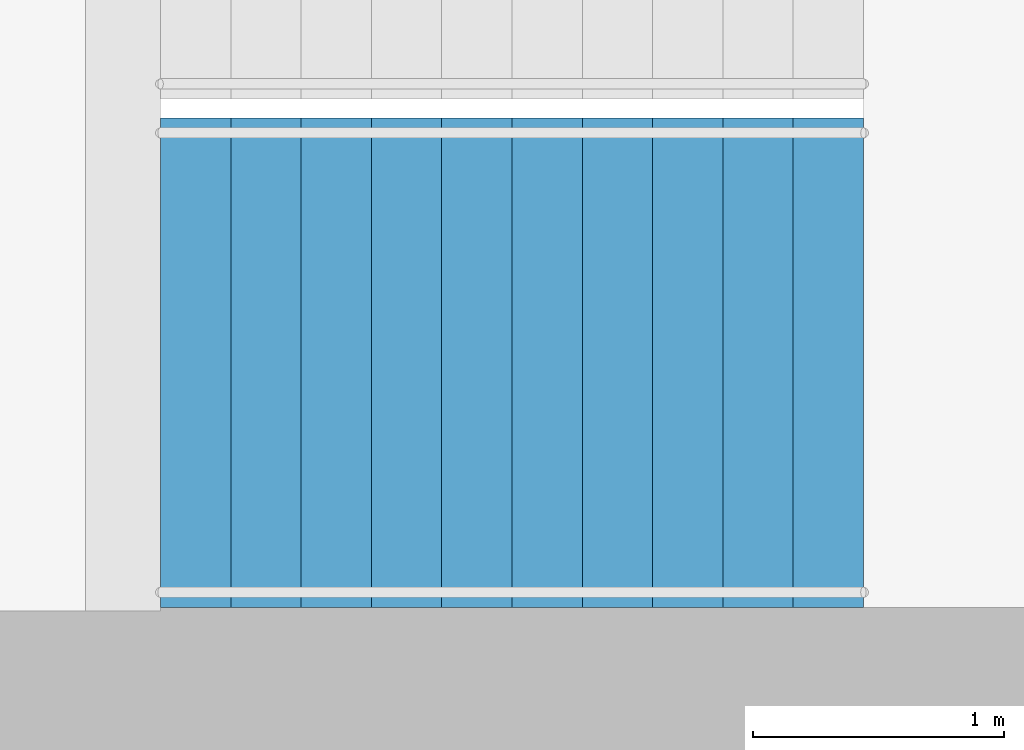
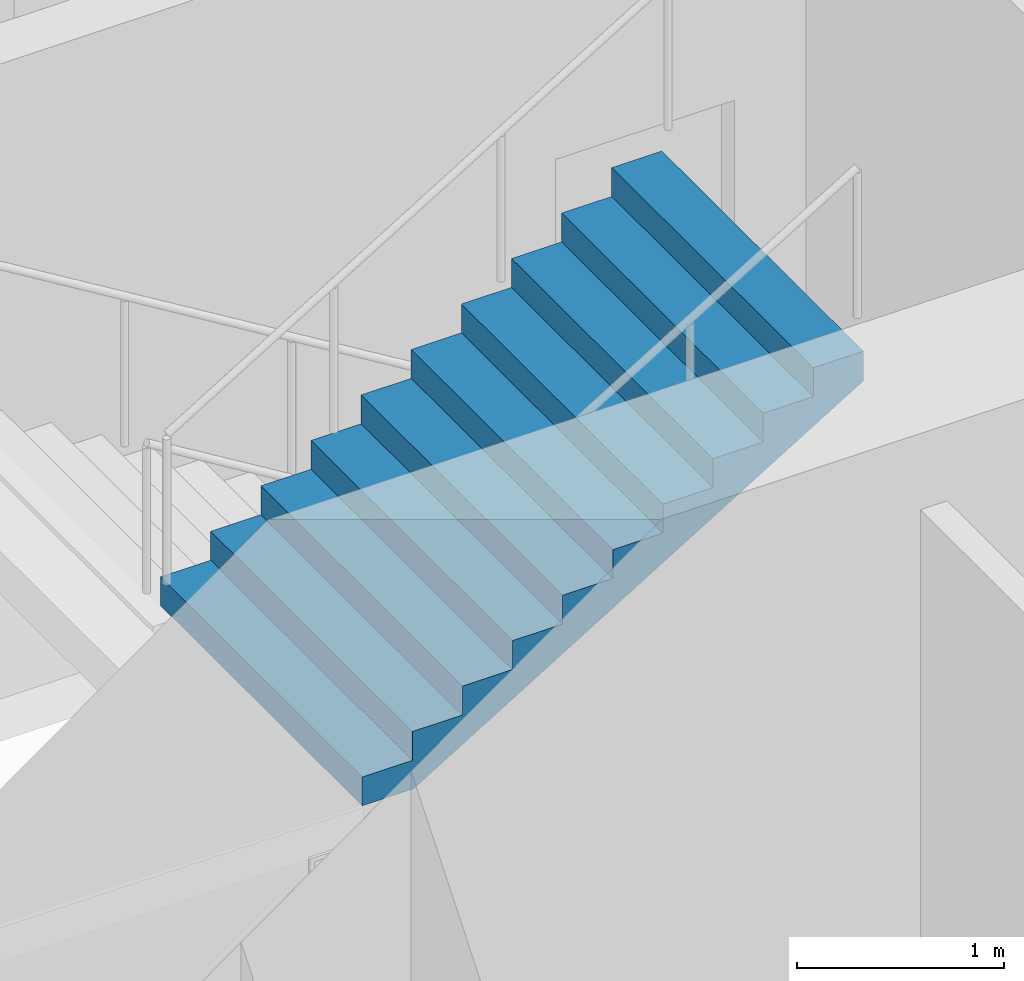
# One storey, part 20 of 22: 1 stair flight, 1 element without a shape of its own.
"""IFC4 building model written with IfcOpenShell, lengths in metres."""

from ifc_helpers import new_model, si_unit, direction, frame, origin, place, context, subcontext, project, spatial, triangles, material, type_object, element, aggregate, save


model = new_model("IFC4")

# Units and contexts
model_context = context("Model", 3, precision=1e-05, world=origin(), true_north=direction((0.0, 1.0)))
body_context = subcontext(model_context, "Body", "Model", "MODEL_VIEW")
ifc_project = project(units=[si_unit("LENGTHUNIT", "METRE"), si_unit("AREAUNIT", "SQUARE_METRE"), si_unit("VOLUMEUNIT", "CUBIC_METRE"), si_unit("PLANEANGLEUNIT", "RADIAN"), si_unit("MASSUNIT", "GRAM", prefix="KILO")], contexts=[model_context])

# Site, building, storey
site_placement = place(None, origin())
site = spatial("IfcSite", under=ifc_project, at=site_placement, CompositionType="ELEMENT")
building_placement = place(site_placement, origin())
building = spatial("IfcBuilding", under=site, at=building_placement, Name="Orbita Commons", CompositionType="ELEMENT")
storey_placement = place(building_placement, frame((0.0, 0.0, 80.64990234375)))
storey = spatial("IfcBuildingStorey", under=building, at=storey_placement, Name="L19", CompositionType="ELEMENT", Elevation=80.64990234375)

# Stair, stair flight
ifc_material_1 = material(Name="Precast concrete C40/50", Category="concrete")
stair_type = type_object("IfcStairType", Name="Exit stair S2 2 flights 11 risers 170", PredefinedType="HALF_TURN_STAIR", material=ifc_material_1)
stair_placement = place(storey_placement, origin())
stair = element("IfcStair", 1, at=stair_placement, inside=storey, type_object=stair_type, Name="Exit stair S2 L19", PredefinedType="HALF_TURN_STAIR")
ifc_material_2 = material(Name="Precast concrete C40/50", Category="concrete")
stair_flight_type = type_object("IfcStairFlightType", Name="Stair flight 11 risers 170 x 280", PredefinedType="STRAIGHT", material=ifc_material_2)
stair_flight_placement = place(storey_placement, frame((60.75, 27.25, 1.875), z_axis=(0.0, 0.0, 1.0), x_axis=(1.0, 0.0, 0.0)))
stair_flight = element("IfcStairFlight", 2, at=stair_flight_placement, type_object=stair_flight_type, Name="S2 flight 2", NumberOfRisers=11, NumberOfTreads=10, PredefinedType="STRAIGHT", RiserHeight=0.170454545, TreadLength=0.28, context=body_context, shape_type="Tessellation", body=[
    triangles([(0.0, 0.974976, 0.0), (0.0, 0.974976, 0.021307), (0.0, 0.81248, 0.021307), (0.0, 0.81248, 0.0), (0.0, 0.649984, 0.021307), (0.0, 0.649984, 0.0), (0.0, 0.487488, 0.021307), (0.0, 0.487488, 0.0), (0.0, 0.324992, 0.021307), (0.0, 0.324992, 0.0), (0.0, 0.162496, 0.021307), (0.0, 0.162496, 0.0), (0.0, 0.0, 0.021307), (0.0, 0.0, 0.0), (0.0, -0.162496, 0.021307), (0.0, -0.162496, 0.0), (0.0, -0.324992, 0.021307), (0.0, -0.324992, 0.0), (0.0, -0.487488, 0.021307), (0.0, -0.487488, 0.0), (0.0, -0.649984, 0.021307), (0.0, -0.649984, 0.0), (0.0, -0.81248, 0.021307), (0.0, -0.81248, 0.0), (0.0, -0.974976, 0.021307), (0.0, -0.974976, 0.0), (0.0, 0.974976, 0.042614), (0.0, 0.81248, 0.042614), (0.0, 0.649984, 0.042614), (0.0, 0.487488, 0.042614), (0.0, 0.324992, 0.042614), (0.0, 0.162496, 0.042614), (0.0, 0.0, 0.042614), (0.0, -0.162496, 0.042614), (0.0, -0.324992, 0.042614), (0.0, -0.487488, 0.042614), (0.0, -0.649984, 0.042614), (0.0, -0.81248, 0.042614), (0.0, -0.974976, 0.042614), (0.0, 0.974976, 0.06392), (0.0, 0.81248, 0.06392), (0.0, 0.649984, 0.06392), (0.0, 0.487488, 0.06392), (0.0, 0.324992, 0.06392), (0.0, 0.162496, 0.06392), (0.0, 0.0, 0.06392), (0.0, -0.162496, 0.06392), (0.0, -0.324992, 0.06392), (0.0, -0.487488, 0.06392), (0.0, -0.649984, 0.06392), (0.0, -0.81248, 0.06392), (0.0, -0.974976, 0.06392), (0.0, 0.974976, 0.085227), (0.0, 0.81248, 0.085227), (0.0, 0.649984, 0.085227), (0.0, 0.487488, 0.085227), (0.0, 0.324992, 0.085227), (0.0, 0.162496, 0.085227), (0.0, 0.0, 0.085227), (0.0, -0.162496, 0.085227), (0.0, -0.324992, 0.085227), (0.0, -0.487488, 0.085227), (0.0, -0.649984, 0.085227), (0.0, -0.81248, 0.085227), (0.0, -0.974976, 0.085227), (0.0, 0.974976, 0.106534), (0.0, 0.81248, 0.106534), (0.0, 0.649984, 0.106534), (0.0, 0.487488, 0.106534), (0.0, 0.324992, 0.106534), (0.0, 0.162496, 0.106534), (0.0, 0.0, 0.106534), (0.0, -0.162496, 0.106534), (0.0, -0.324992, 0.106534), (0.0, -0.487488, 0.106534), (0.0, -0.649984, 0.106534), (0.0, -0.81248, 0.106534), (0.0, -0.974976, 0.106534), (0.0, 0.974976, 0.127841), (0.0, 0.81248, 0.127841), (0.0, 0.649984, 0.127841), (0.0, 0.487488, 0.127841), (0.0, 0.324992, 0.127841), (0.0, 0.162496, 0.127841), (0.0, 0.0, 0.127841), (0.0, -0.162496, 0.127841), (0.0, -0.324992, 0.127841), (0.0, -0.487488, 0.127841), (0.0, -0.649984, 0.127841), (0.0, -0.81248, 0.127841), (0.0, -0.974976, 0.127841), (0.0, 0.974976, 0.149148), (0.0, 0.81248, 0.149148), (0.0, 0.649984, 0.149148), (0.0, 0.487488, 0.149148), (0.0, 0.324992, 0.149148), (0.0, 0.162496, 0.149148), (0.0, 0.0, 0.149148), (0.0, -0.162496, 0.149148), (0.0, -0.324992, 0.149148), (0.0, -0.487488, 0.149148), (0.0, -0.649984, 0.149148), (0.0, -0.81248, 0.149148), (0.0, -0.974976, 0.149148), (0.0, 0.974976, 0.170455), (0.0, 0.81248, 0.170455), (0.0, 0.649984, 0.170455), (0.0, 0.487488, 0.170455), (0.0, 0.324992, 0.170455), (0.0, 0.162496, 0.170455), (0.0, 0.0, 0.170455), (0.0, -0.162496, 0.170455), (0.0, -0.324992, 0.170455), (0.0, -0.487488, 0.170455), (0.0, -0.649984, 0.170455), (0.0, -0.81248, 0.170455), (0.0, -0.974976, 0.170455), (0.28, 0.974976, 0.170455), (0.28, 0.81248, 0.170455), (0.28, 0.649984, 0.170455), (0.28, 0.487488, 0.170455), (0.28, 0.324992, 0.170455), (0.28, 0.162496, 0.170455), (0.28, 0.0, 0.170455), (0.28, -0.162496, 0.170455), (0.28, -0.324992, 0.170455), (0.28, -0.487488, 0.170455), (0.28, -0.649984, 0.170455), (0.28, -0.81248, 0.170455), (0.28, -0.974976, 0.170455), (0.28, 0.974976, 0.340909), (0.28, 0.81248, 0.340909), (0.28, 0.649984, 0.340909), (0.28, 0.487488, 0.340909), (0.28, 0.324992, 0.340909), (0.28, 0.162496, 0.340909), (0.28, 0.0, 0.340909), (0.28, -0.162496, 0.340909), (0.28, -0.324992, 0.340909), (0.28, -0.487488, 0.340909), (0.28, -0.649984, 0.340909), (0.28, -0.81248, 0.340909), (0.28, -0.974976, 0.340909), (0.56, 0.974976, 0.340909), (0.56, 0.81248, 0.340909), (0.56, 0.649984, 0.340909), (0.56, 0.487488, 0.340909), (0.56, 0.324992, 0.340909), (0.56, 0.162496, 0.340909), (0.56, 0.0, 0.340909), (0.56, -0.162496, 0.340909), (0.56, -0.324992, 0.340909), (0.56, -0.487488, 0.340909), (0.56, -0.649984, 0.340909), (0.56, -0.81248, 0.340909), (0.56, -0.974976, 0.340909), (0.56, 0.974976, 0.511364), (0.56, 0.81248, 0.511364), (0.56, 0.649984, 0.511364), (0.56, 0.487488, 0.511364), (0.56, 0.324992, 0.511364), (0.56, 0.162496, 0.511364), (0.56, 0.0, 0.511364), (0.56, -0.162496, 0.511364), (0.56, -0.324992, 0.511364), (0.56, -0.487488, 0.511364), (0.56, -0.649984, 0.511364), (0.56, -0.81248, 0.511364), (0.56, -0.974976, 0.511364), (0.84, 0.974976, 0.511364), (0.84, 0.81248, 0.511364), (0.84, 0.649984, 0.511364), (0.84, 0.487488, 0.511364), (0.84, 0.324992, 0.511364), (0.84, 0.162496, 0.511364), (0.84, 0.0, 0.511364), (0.84, -0.162496, 0.511364), (0.84, -0.324992, 0.511364), (0.84, -0.487488, 0.511364), (0.84, -0.649984, 0.511364), (0.84, -0.81248, 0.511364), (0.84, -0.974976, 0.511364), (0.84, 0.974976, 0.681818), (0.84, 0.81248, 0.681818), (0.84, 0.649984, 0.681818), (0.84, 0.487488, 0.681818), (0.84, 0.324992, 0.681818), (0.84, 0.162496, 0.681818), (0.84, 0.0, 0.681818), (0.84, -0.162496, 0.681818), (0.84, -0.324992, 0.681818), (0.84, -0.487488, 0.681818), (0.84, -0.649984, 0.681818), (0.84, -0.81248, 0.681818), (0.84, -0.974976, 0.681818), (1.12, 0.974976, 0.681818), (1.12, 0.81248, 0.681818), (1.12, 0.649984, 0.681818), (1.12, 0.487488, 0.681818), (1.12, 0.324992, 0.681818), (1.12, 0.162496, 0.681818), (1.12, 0.0, 0.681818), (1.12, -0.162496, 0.681818), (1.12, -0.324992, 0.681818), (1.12, -0.487488, 0.681818), (1.12, -0.649984, 0.681818), (1.12, -0.81248, 0.681818), (1.12, -0.974976, 0.681818), (1.12, 0.974976, 0.852273), (1.12, 0.81248, 0.852273), (1.12, 0.649984, 0.852273), (1.12, 0.487488, 0.852273), (1.12, 0.324992, 0.852273), (1.12, 0.162496, 0.852273), (1.12, 0.0, 0.852273), (1.12, -0.162496, 0.852273), (1.12, -0.324992, 0.852273), (1.12, -0.487488, 0.852273), (1.12, -0.649984, 0.852273), (1.12, -0.81248, 0.852273), (1.12, -0.974976, 0.852273), (1.4, 0.974976, 0.852273), (1.4, 0.81248, 0.852273), (1.4, 0.649984, 0.852273), (1.4, 0.487488, 0.852273), (1.4, 0.324992, 0.852273), (1.4, 0.162496, 0.852273), (1.4, 0.0, 0.852273), (1.4, -0.162496, 0.852273), (1.4, -0.324992, 0.852273), (1.4, -0.487488, 0.852273), (1.4, -0.649984, 0.852273), (1.4, -0.81248, 0.852273), (1.4, -0.974976, 0.852273), (1.4, 0.974976, 1.022727), (1.4, 0.81248, 1.022727), (1.4, 0.649984, 1.022727), (1.4, 0.487488, 1.022727), (1.4, 0.324992, 1.022727), (1.4, 0.162496, 1.022727), (1.4, 0.0, 1.022727), (1.4, -0.162496, 1.022727), (1.4, -0.324992, 1.022727), (1.4, -0.487488, 1.022727), (1.4, -0.649984, 1.022727), (1.4, -0.81248, 1.022727), (1.4, -0.974976, 1.022727), (1.68, 0.974976, 1.022727), (1.68, 0.81248, 1.022727), (1.68, 0.649984, 1.022727), (1.68, 0.487488, 1.022727), (1.68, 0.324992, 1.022727), (1.68, 0.162496, 1.022727), (1.68, 0.0, 1.022727), (1.68, -0.162496, 1.022727), (1.68, -0.324992, 1.022727), (1.68, -0.487488, 1.022727), (1.68, -0.649984, 1.022727), (1.68, -0.81248, 1.022727), (1.68, -0.974976, 1.022727), (1.68, 0.974976, 1.193182), (1.68, 0.81248, 1.193182), (1.68, 0.649984, 1.193182), (1.68, 0.487488, 1.193182), (1.68, 0.324992, 1.193182), (1.68, 0.162496, 1.193182), (1.68, 0.0, 1.193182), (1.68, -0.162496, 1.193182), (1.68, -0.324992, 1.193182), (1.68, -0.487488, 1.193182), (1.68, -0.649984, 1.193182), (1.68, -0.81248, 1.193182), (1.68, -0.974976, 1.193182), (1.96, 0.974976, 1.193182), (1.96, 0.81248, 1.193182), (1.96, 0.649984, 1.193182), (1.96, 0.487488, 1.193182), (1.96, 0.324992, 1.193182), (1.96, 0.162496, 1.193182), (1.96, 0.0, 1.193182), (1.96, -0.162496, 1.193182), (1.96, -0.324992, 1.193182), (1.96, -0.487488, 1.193182), (1.96, -0.649984, 1.193182), (1.96, -0.81248, 1.193182), (1.96, -0.974976, 1.193182), (1.96, 0.974976, 1.363636), (1.96, 0.81248, 1.363636), (1.96, 0.649984, 1.363636), (1.96, 0.487488, 1.363636), (1.96, 0.324992, 1.363636), (1.96, 0.162496, 1.363636), (1.96, 0.0, 1.363636), (1.96, -0.162496, 1.363636), (1.96, -0.324992, 1.363636), (1.96, -0.487488, 1.363636), (1.96, -0.649984, 1.363636), (1.96, -0.81248, 1.363636), (1.96, -0.974976, 1.363636), (2.24, 0.974976, 1.363636), (2.24, 0.81248, 1.363636), (2.24, 0.649984, 1.363636), (2.24, 0.487488, 1.363636), (2.24, 0.324992, 1.363636), (2.24, 0.162496, 1.363636), (2.24, 0.0, 1.363636), (2.24, -0.162496, 1.363636), (2.24, -0.324992, 1.363636), (2.24, -0.487488, 1.363636), (2.24, -0.649984, 1.363636), (2.24, -0.81248, 1.363636), (2.24, -0.974976, 1.363636), (2.24, 0.974976, 1.534091), (2.24, 0.81248, 1.534091), (2.24, 0.649984, 1.534091), (2.24, 0.487488, 1.534091), (2.24, 0.324992, 1.534091), (2.24, 0.162496, 1.534091), (2.24, 0.0, 1.534091), (2.24, -0.162496, 1.534091), (2.24, -0.324992, 1.534091), (2.24, -0.487488, 1.534091), (2.24, -0.649984, 1.534091), (2.24, -0.81248, 1.534091), (2.24, -0.974976, 1.534091), (2.52, 0.974976, 1.534091), (2.52, 0.81248, 1.534091), (2.52, 0.649984, 1.534091), (2.52, 0.487488, 1.534091), (2.52, 0.324992, 1.534091), (2.52, 0.162496, 1.534091), (2.52, 0.0, 1.534091), (2.52, -0.162496, 1.534091), (2.52, -0.324992, 1.534091), (2.52, -0.487488, 1.534091), (2.52, -0.649984, 1.534091), (2.52, -0.81248, 1.534091), (2.52, -0.974976, 1.534091), (2.52, 0.974976, 1.704545), (2.52, 0.81248, 1.704545), (2.52, 0.649984, 1.704545), (2.52, 0.487488, 1.704545), (2.52, 0.324992, 1.704545), (2.52, 0.162496, 1.704545), (2.52, 0.0, 1.704545), (2.52, -0.162496, 1.704545), (2.52, -0.324992, 1.704545), (2.52, -0.487488, 1.704545), (2.52, -0.649984, 1.704545), (2.52, -0.81248, 1.704545), (2.52, -0.974976, 1.704545), (2.8, 0.974976, 1.704545), (2.8, 0.81248, 1.704545), (2.8, 0.649984, 1.704545), (2.8, 0.487488, 1.704545), (2.8, 0.324992, 1.704545), (2.8, 0.162496, 1.704545), (2.8, 0.0, 1.704545), (2.8, -0.162496, 1.704545), (2.8, -0.324992, 1.704545), (2.8, -0.487488, 1.704545), (2.8, -0.649984, 1.704545), (2.8, -0.81248, 1.704545), (2.8, -0.974976, 1.704545), (2.8, 0.974976, 1.682609), (2.8, 0.81248, 1.682609), (2.8, 0.649984, 1.682609), (2.8, 0.487488, 1.682609), (2.8, 0.324992, 1.682609), (2.8, 0.162496, 1.682609), (2.8, 0.0, 1.682609), (2.8, -0.162496, 1.682609), (2.8, -0.324992, 1.682609), (2.8, -0.487488, 1.682609), (2.8, -0.649984, 1.682609), (2.8, -0.81248, 1.682609), (2.8, -0.974976, 1.682609), (2.8, 0.974976, 1.660672), (2.8, 0.81248, 1.660672), (2.8, 0.649984, 1.660672), (2.8, 0.487488, 1.660672), (2.8, 0.324992, 1.660672), (2.8, 0.162496, 1.660672), (2.8, 0.0, 1.660672), (2.8, -0.162496, 1.660672), (2.8, -0.324992, 1.660672), (2.8, -0.487488, 1.660672), (2.8, -0.649984, 1.660672), (2.8, -0.81248, 1.660672), (2.8, -0.974976, 1.660672), (2.8, 0.974976, 1.638735), (2.8, 0.81248, 1.638735), (2.8, 0.649984, 1.638735), (2.8, 0.487488, 1.638735), (2.8, 0.324992, 1.638735), (2.8, 0.162496, 1.638735), (2.8, 0.0, 1.638735), (2.8, -0.162496, 1.638735), (2.8, -0.324992, 1.638735), (2.8, -0.487488, 1.638735), (2.8, -0.649984, 1.638735), (2.8, -0.81248, 1.638735), (2.8, -0.974976, 1.638735), (2.8, 0.974976, 1.616798), (2.8, 0.81248, 1.616798), (2.8, 0.649984, 1.616798), (2.8, 0.487488, 1.616798), (2.8, 0.324992, 1.616798), (2.8, 0.162496, 1.616798), (2.8, 0.0, 1.616798), (2.8, -0.162496, 1.616798), (2.8, -0.324992, 1.616798), (2.8, -0.487488, 1.616798), (2.8, -0.649984, 1.616798), (2.8, -0.81248, 1.616798), (2.8, -0.974976, 1.616798), (2.8, 0.974976, 1.594861), (2.8, 0.81248, 1.594861), (2.8, 0.649984, 1.594861), (2.8, 0.487488, 1.594861), (2.8, 0.324992, 1.594861), (2.8, 0.162496, 1.594861), (2.8, 0.0, 1.594861), (2.8, -0.162496, 1.594861), (2.8, -0.324992, 1.594861), (2.8, -0.487488, 1.594861), (2.8, -0.649984, 1.594861), (2.8, -0.81248, 1.594861), (2.8, -0.974976, 1.594861), (2.8, 0.974976, 1.572925), (2.8, 0.81248, 1.572925), (2.8, 0.649984, 1.572925), (2.8, 0.487488, 1.572925), (2.8, 0.324992, 1.572925), (2.8, 0.162496, 1.572925), (2.8, 0.0, 1.572925), (2.8, -0.162496, 1.572925), (2.8, -0.324992, 1.572925), (2.8, -0.487488, 1.572925), (2.8, -0.649984, 1.572925), (2.8, -0.81248, 1.572925), (2.8, -0.974976, 1.572925), (2.8, 0.974976, 1.550988), (2.8, 0.81248, 1.550988), (2.8, 0.649984, 1.550988), (2.8, 0.487488, 1.550988), (2.8, 0.324992, 1.550988), (2.8, 0.162496, 1.550988), (2.8, 0.0, 1.550988), (2.8, -0.162496, 1.550988), (2.8, -0.324992, 1.550988), (2.8, -0.487488, 1.550988), (2.8, -0.649984, 1.550988), (2.8, -0.81248, 1.550988), (2.8, -0.974976, 1.550988), (2.8, 0.974976, 1.529051), (2.8, 0.81248, 1.529051), (2.8, 0.649984, 1.529051), (2.8, 0.487488, 1.529051), (2.8, 0.324992, 1.529051), (2.8, 0.162496, 1.529051), (2.8, 0.0, 1.529051), (2.8, -0.162496, 1.529051), (2.8, -0.324992, 1.529051), (2.8, -0.487488, 1.529051), (2.8, -0.649984, 1.529051), (2.8, -0.81248, 1.529051), (2.8, -0.974976, 1.529051), (0.288279, 0.974976, 0.0), (0.288279, 0.81248, 0.0), (0.288279, 0.649984, 0.0), (0.288279, 0.487488, 0.0), (0.288279, 0.324992, 0.0), (0.288279, 0.162496, 0.0), (0.288279, 0.0, 0.0), (0.288279, -0.162496, 0.0), (0.288279, -0.324992, 0.0), (0.288279, -0.487488, 0.0), (0.288279, -0.649984, 0.0), (0.288279, -0.81248, 0.0), (0.288279, -0.974976, 0.0)], [[3, 2, 1], [4, 3, 1], [5, 3, 4], [6, 5, 4], [7, 5, 6], [8, 7, 6], [9, 7, 8], [10, 9, 8], [11, 9, 10], [12, 11, 10], [13, 11, 12], [14, 13, 12], [15, 13, 14], [16, 15, 14], [17, 15, 16], [18, 17, 16], [19, 17, 18], [20, 19, 18], [21, 19, 20], [22, 21, 20], [23, 21, 22], [24, 23, 22], [25, 23, 24], [26, 25, 24], [28, 27, 2], [3, 28, 2], [29, 28, 3], [5, 29, 3], [30, 29, 5], [7, 30, 5], [31, 30, 7], [9, 31, 7], [32, 31, 9], [11, 32, 9], [33, 32, 11], [13, 33, 11], [34, 33, 13], [15, 34, 13], [35, 34, 15], [17, 35, 15], [36, 35, 17], [19, 36, 17], [37, 36, 19], [21, 37, 19], [38, 37, 21], [23, 38, 21], [39, 38, 23], [25, 39, 23], [41, 40, 27], [28, 41, 27], [42, 41, 28], [29, 42, 28], [43, 42, 29], [30, 43, 29], [44, 43, 30], [31, 44, 30], [45, 44, 31], [32, 45, 31], [46, 45, 32], [33, 46, 32], [47, 46, 33], [34, 47, 33], [48, 47, 34], [35, 48, 34], [49, 48, 35], [36, 49, 35], [50, 49, 36], [37, 50, 36], [51, 50, 37], [38, 51, 37], [52, 51, 38], [39, 52, 38], [54, 53, 40], [41, 54, 40], [55, 54, 41], [42, 55, 41], [56, 55, 42], [43, 56, 42], [57, 56, 43], [44, 57, 43], [58, 57, 44], [45, 58, 44], [59, 58, 45], [46, 59, 45], [60, 59, 46], [47, 60, 46], [61, 60, 47], [48, 61, 47], [62, 61, 48], [49, 62, 48], [63, 62, 49], [50, 63, 49], [64, 63, 50], [51, 64, 50], [65, 64, 51], [52, 65, 51], [67, 66, 53], [54, 67, 53], [68, 67, 54], [55, 68, 54], [69, 68, 55], [56, 69, 55], [70, 69, 56], [57, 70, 56], [71, 70, 57], [58, 71, 57], [72, 71, 58], [59, 72, 58], [73, 72, 59], [60, 73, 59], [74, 73, 60], [61, 74, 60], [75, 74, 61], [62, 75, 61], [76, 75, 62], [63, 76, 62], [77, 76, 63], [64, 77, 63], [78, 77, 64], [65, 78, 64], [80, 79, 66], [67, 80, 66], [81, 80, 67], [68, 81, 67], [82, 81, 68], [69, 82, 68], [83, 82, 69], [70, 83, 69], [84, 83, 70], [71, 84, 70], [85, 84, 71], [72, 85, 71], [86, 85, 72], [73, 86, 72], [87, 86, 73], [74, 87, 73], [88, 87, 74], [75, 88, 74], [89, 88, 75], [76, 89, 75], [90, 89, 76], [77, 90, 76], [91, 90, 77], [78, 91, 77], [93, 92, 79], [80, 93, 79], [94, 93, 80], [81, 94, 80], [95, 94, 81], [82, 95, 81], [96, 95, 82], [83, 96, 82], [97, 96, 83], [84, 97, 83], [98, 97, 84], [85, 98, 84], [99, 98, 85], [86, 99, 85], [100, 99, 86], [87, 100, 86], [101, 100, 87], [88, 101, 87], [102, 101, 88], [89, 102, 88], [103, 102, 89], [90, 103, 89], [104, 103, 90], [91, 104, 90], [106, 105, 92], [93, 106, 92], [107, 106, 93], [94, 107, 93], [108, 107, 94], [95, 108, 94], [109, 108, 95], [96, 109, 95], [110, 109, 96], [97, 110, 96], [111, 110, 97], [98, 111, 97], [112, 111, 98], [99, 112, 98], [113, 112, 99], [100, 113, 99], [114, 113, 100], [101, 114, 100], [115, 114, 101], [102, 115, 101], [116, 115, 102], [103, 116, 102], [117, 116, 103], [104, 117, 103], [119, 118, 105], [106, 119, 105], [120, 119, 106], [107, 120, 106], [121, 120, 107], [108, 121, 107], [122, 121, 108], [109, 122, 108], [123, 122, 109], [110, 123, 109], [124, 123, 110], [111, 124, 110], [125, 124, 111], [112, 125, 111], [126, 125, 112], [113, 126, 112], [127, 126, 113], [114, 127, 113], [128, 127, 114], [115, 128, 114], [129, 128, 115], [116, 129, 115], [130, 129, 116], [117, 130, 116], [132, 131, 118], [119, 132, 118], [133, 132, 119], [120, 133, 119], [134, 133, 120], [121, 134, 120], [135, 134, 121], [122, 135, 121], [136, 135, 122], [123, 136, 122], [137, 136, 123], [124, 137, 123], [138, 137, 124], [125, 138, 124], [139, 138, 125], [126, 139, 125], [140, 139, 126], [127, 140, 126], [141, 140, 127], [128, 141, 127], [142, 141, 128], [129, 142, 128], [143, 142, 129], [130, 143, 129], [145, 144, 131], [132, 145, 131], [146, 145, 132], [133, 146, 132], [147, 146, 133], [134, 147, 133], [148, 147, 134], [135, 148, 134], [149, 148, 135], [136, 149, 135], [150, 149, 136], [137, 150, 136], [151, 150, 137], [138, 151, 137], [152, 151, 138], [139, 152, 138], [153, 152, 139], [140, 153, 139], [154, 153, 140], [141, 154, 140], [155, 154, 141], [142, 155, 141], [156, 155, 142], [143, 156, 142], [158, 157, 144], [145, 158, 144], [159, 158, 145], [146, 159, 145], [160, 159, 146], [147, 160, 146], [161, 160, 147], [148, 161, 147], [162, 161, 148], [149, 162, 148], [163, 162, 149], [150, 163, 149], [164, 163, 150], [151, 164, 150], [165, 164, 151], [152, 165, 151], [166, 165, 152], [153, 166, 152], [167, 166, 153], [154, 167, 153], [168, 167, 154], [155, 168, 154], [169, 168, 155], [156, 169, 155], [171, 170, 157], [158, 171, 157], [172, 171, 158], [159, 172, 158], [173, 172, 159], [160, 173, 159], [174, 173, 160], [161, 174, 160], [175, 174, 161], [162, 175, 161], [176, 175, 162], [163, 176, 162], [177, 176, 163], [164, 177, 163], [178, 177, 164], [165, 178, 164], [179, 178, 165], [166, 179, 165], [180, 179, 166], [167, 180, 166], [181, 180, 167], [168, 181, 167], [182, 181, 168], [169, 182, 168], [184, 183, 170], [171, 184, 170], [185, 184, 171], [172, 185, 171], [186, 185, 172], [173, 186, 172], [187, 186, 173], [174, 187, 173], [188, 187, 174], [175, 188, 174], [189, 188, 175], [176, 189, 175], [190, 189, 176], [177, 190, 176], [191, 190, 177], [178, 191, 177], [192, 191, 178], [179, 192, 178], [193, 192, 179], [180, 193, 179], [194, 193, 180], [181, 194, 180], [195, 194, 181], [182, 195, 181], [197, 196, 183], [184, 197, 183], [198, 197, 184], [185, 198, 184], [199, 198, 185], [186, 199, 185], [200, 199, 186], [187, 200, 186], [201, 200, 187], [188, 201, 187], [202, 201, 188], [189, 202, 188], [203, 202, 189], [190, 203, 189], [204, 203, 190], [191, 204, 190], [205, 204, 191], [192, 205, 191], [206, 205, 192], [193, 206, 192], [207, 206, 193], [194, 207, 193], [208, 207, 194], [195, 208, 194], [210, 209, 196], [197, 210, 196], [211, 210, 197], [198, 211, 197], [212, 211, 198], [199, 212, 198], [213, 212, 199], [200, 213, 199], [214, 213, 200], [201, 214, 200], [215, 214, 201], [202, 215, 201], [216, 215, 202], [203, 216, 202], [217, 216, 203], [204, 217, 203], [218, 217, 204], [205, 218, 204], [219, 218, 205], [206, 219, 205], [220, 219, 206], [207, 220, 206], [221, 220, 207], [208, 221, 207], [223, 222, 209], [210, 223, 209], [224, 223, 210], [211, 224, 210], [225, 224, 211], [212, 225, 211], [226, 225, 212], [213, 226, 212], [227, 226, 213], [214, 227, 213], [228, 227, 214], [215, 228, 214], [229, 228, 215], [216, 229, 215], [230, 229, 216], [217, 230, 216], [231, 230, 217], [218, 231, 217], [232, 231, 218], [219, 232, 218], [233, 232, 219], [220, 233, 219], [234, 233, 220], [221, 234, 220], [236, 235, 222], [223, 236, 222], [237, 236, 223], [224, 237, 223], [238, 237, 224], [225, 238, 224], [239, 238, 225], [226, 239, 225], [240, 239, 226], [227, 240, 226], [241, 240, 227], [228, 241, 227], [242, 241, 228], [229, 242, 228], [243, 242, 229], [230, 243, 229], [244, 243, 230], [231, 244, 230], [245, 244, 231], [232, 245, 231], [246, 245, 232], [233, 246, 232], [247, 246, 233], [234, 247, 233], [249, 248, 235], [236, 249, 235], [250, 249, 236], [237, 250, 236], [251, 250, 237], [238, 251, 237], [252, 251, 238], [239, 252, 238], [253, 252, 239], [240, 253, 239], [254, 253, 240], [241, 254, 240], [255, 254, 241], [242, 255, 241], [256, 255, 242], [243, 256, 242], [257, 256, 243], [244, 257, 243], [258, 257, 244], [245, 258, 244], [259, 258, 245], [246, 259, 245], [260, 259, 246], [247, 260, 246], [262, 261, 248], [249, 262, 248], [263, 262, 249], [250, 263, 249], [264, 263, 250], [251, 264, 250], [265, 264, 251], [252, 265, 251], [266, 265, 252], [253, 266, 252], [267, 266, 253], [254, 267, 253], [268, 267, 254], [255, 268, 254], [269, 268, 255], [256, 269, 255], [270, 269, 256], [257, 270, 256], [271, 270, 257], [258, 271, 257], [272, 271, 258], [259, 272, 258], [273, 272, 259], [260, 273, 259], [275, 274, 261], [262, 275, 261], [276, 275, 262], [263, 276, 262], [277, 276, 263], [264, 277, 263], [278, 277, 264], [265, 278, 264], [279, 278, 265], [266, 279, 265], [280, 279, 266], [267, 280, 266], [281, 280, 267], [268, 281, 267], [282, 281, 268], [269, 282, 268], [283, 282, 269], [270, 283, 269], [284, 283, 270], [271, 284, 270], [285, 284, 271], [272, 285, 271], [286, 285, 272], [273, 286, 272], [288, 287, 274], [275, 288, 274], [289, 288, 275], [276, 289, 275], [290, 289, 276], [277, 290, 276], [291, 290, 277], [278, 291, 277], [292, 291, 278], [279, 292, 278], [293, 292, 279], [280, 293, 279], [294, 293, 280], [281, 294, 280], [295, 294, 281], [282, 295, 281], [296, 295, 282], [283, 296, 282], [297, 296, 283], [284, 297, 283], [298, 297, 284], [285, 298, 284], [299, 298, 285], [286, 299, 285], [301, 300, 287], [288, 301, 287], [302, 301, 288], [289, 302, 288], [303, 302, 289], [290, 303, 289], [304, 303, 290], [291, 304, 290], [305, 304, 291], [292, 305, 291], [306, 305, 292], [293, 306, 292], [307, 306, 293], [294, 307, 293], [308, 307, 294], [295, 308, 294], [309, 308, 295], [296, 309, 295], [310, 309, 296], [297, 310, 296], [311, 310, 297], [298, 311, 297], [312, 311, 298], [299, 312, 298], [314, 313, 300], [301, 314, 300], [315, 314, 301], [302, 315, 301], [316, 315, 302], [303, 316, 302], [317, 316, 303], [304, 317, 303], [318, 317, 304], [305, 318, 304], [319, 318, 305], [306, 319, 305], [320, 319, 306], [307, 320, 306], [321, 320, 307], [308, 321, 307], [322, 321, 308], [309, 322, 308], [323, 322, 309], [310, 323, 309], [324, 323, 310], [311, 324, 310], [325, 324, 311], [312, 325, 311], [327, 326, 313], [314, 327, 313], [328, 327, 314], [315, 328, 314], [329, 328, 315], [316, 329, 315], [330, 329, 316], [317, 330, 316], [331, 330, 317], [318, 331, 317], [332, 331, 318], [319, 332, 318], [333, 332, 319], [320, 333, 319], [334, 333, 320], [321, 334, 320], [335, 334, 321], [322, 335, 321], [336, 335, 322], [323, 336, 322], [337, 336, 323], [324, 337, 323], [338, 337, 324], [325, 338, 324], [340, 339, 326], [327, 340, 326], [341, 340, 327], [328, 341, 327], [342, 341, 328], [329, 342, 328], [343, 342, 329], [330, 343, 329], [344, 343, 330], [331, 344, 330], [345, 344, 331], [332, 345, 331], [346, 345, 332], [333, 346, 332], [347, 346, 333], [334, 347, 333], [348, 347, 334], [335, 348, 334], [349, 348, 335], [336, 349, 335], [350, 349, 336], [337, 350, 336], [351, 350, 337], [338, 351, 337], [353, 352, 339], [340, 353, 339], [354, 353, 340], [341, 354, 340], [355, 354, 341], [342, 355, 341], [356, 355, 342], [343, 356, 342], [357, 356, 343], [344, 357, 343], [358, 357, 344], [345, 358, 344], [359, 358, 345], [346, 359, 345], [360, 359, 346], [347, 360, 346], [361, 360, 347], [348, 361, 347], [362, 361, 348], [349, 362, 348], [363, 362, 349], [350, 363, 349], [364, 363, 350], [351, 364, 350], [366, 365, 352], [353, 366, 352], [367, 366, 353], [354, 367, 353], [368, 367, 354], [355, 368, 354], [369, 368, 355], [356, 369, 355], [370, 369, 356], [357, 370, 356], [371, 370, 357], [358, 371, 357], [372, 371, 358], [359, 372, 358], [373, 372, 359], [360, 373, 359], [374, 373, 360], [361, 374, 360], [375, 374, 361], [362, 375, 361], [376, 375, 362], [363, 376, 362], [377, 376, 363], [364, 377, 363], [379, 378, 365], [366, 379, 365], [380, 379, 366], [367, 380, 366], [381, 380, 367], [368, 381, 367], [382, 381, 368], [369, 382, 368], [383, 382, 369], [370, 383, 369], [384, 383, 370], [371, 384, 370], [385, 384, 371], [372, 385, 371], [386, 385, 372], [373, 386, 372], [387, 386, 373], [374, 387, 373], [388, 387, 374], [375, 388, 374], [389, 388, 375], [376, 389, 375], [390, 389, 376], [377, 390, 376], [392, 391, 378], [379, 392, 378], [393, 392, 379], [380, 393, 379], [394, 393, 380], [381, 394, 380], [395, 394, 381], [382, 395, 381], [396, 395, 382], [383, 396, 382], [397, 396, 383], [384, 397, 383], [398, 397, 384], [385, 398, 384], [399, 398, 385], [386, 399, 385], [400, 399, 386], [387, 400, 386], [401, 400, 387], [388, 401, 387], [402, 401, 388], [389, 402, 388], [403, 402, 389], [390, 403, 389], [405, 404, 391], [392, 405, 391], [406, 405, 392], [393, 406, 392], [407, 406, 393], [394, 407, 393], [408, 407, 394], [395, 408, 394], [409, 408, 395], [396, 409, 395], [410, 409, 396], [397, 410, 396], [411, 410, 397], [398, 411, 397], [412, 411, 398], [399, 412, 398], [413, 412, 399], [400, 413, 399], [414, 413, 400], [401, 414, 400], [415, 414, 401], [402, 415, 401], [416, 415, 402], [403, 416, 402], [418, 417, 404], [405, 418, 404], [419, 418, 405], [406, 419, 405], [420, 419, 406], [407, 420, 406], [421, 420, 407], [408, 421, 407], [422, 421, 408], [409, 422, 408], [423, 422, 409], [410, 423, 409], [424, 423, 410], [411, 424, 410], [425, 424, 411], [412, 425, 411], [426, 425, 412], [413, 426, 412], [427, 426, 413], [414, 427, 413], [428, 427, 414], [415, 428, 414], [429, 428, 415], [416, 429, 415], [431, 430, 417], [418, 431, 417], [432, 431, 418], [419, 432, 418], [433, 432, 419], [420, 433, 419], [434, 433, 420], [421, 434, 420], [435, 434, 421], [422, 435, 421], [436, 435, 422], [423, 436, 422], [437, 436, 423], [424, 437, 423], [438, 437, 424], [425, 438, 424], [439, 438, 425], [426, 439, 425], [440, 439, 426], [427, 440, 426], [441, 440, 427], [428, 441, 427], [442, 441, 428], [429, 442, 428], [444, 443, 430], [431, 444, 430], [445, 444, 431], [432, 445, 431], [446, 445, 432], [433, 446, 432], [447, 446, 433], [434, 447, 433], [448, 447, 434], [435, 448, 434], [449, 448, 435], [436, 449, 435], [450, 449, 436], [437, 450, 436], [451, 450, 437], [438, 451, 437], [452, 451, 438], [439, 452, 438], [453, 452, 439], [440, 453, 439], [454, 453, 440], [441, 454, 440], [455, 454, 441], [442, 455, 441], [457, 456, 443], [444, 457, 443], [458, 457, 444], [445, 458, 444], [459, 458, 445], [446, 459, 445], [460, 459, 446], [447, 460, 446], [461, 460, 447], [448, 461, 447], [462, 461, 448], [449, 462, 448], [463, 462, 449], [450, 463, 449], [464, 463, 450], [451, 464, 450], [465, 464, 451], [452, 465, 451], [466, 465, 452], [453, 466, 452], [467, 466, 453], [454, 467, 453], [468, 467, 454], [455, 468, 454], [470, 469, 456], [457, 470, 456], [471, 470, 457], [458, 471, 457], [472, 471, 458], [459, 472, 458], [473, 472, 459], [460, 473, 459], [474, 473, 460], [461, 474, 460], [475, 474, 461], [462, 475, 461], [476, 475, 462], [463, 476, 462], [477, 476, 463], [464, 477, 463], [478, 477, 464], [465, 478, 464], [479, 478, 465], [466, 479, 465], [480, 479, 466], [467, 480, 466], [481, 480, 467], [468, 481, 467], [4, 1, 469], [470, 4, 469], [6, 4, 470], [471, 6, 470], [8, 6, 471], [472, 8, 471], [10, 8, 472], [473, 10, 472], [12, 10, 473], [474, 12, 473], [14, 12, 474], [475, 14, 474], [16, 14, 475], [476, 16, 475], [18, 16, 476], [477, 18, 476], [20, 18, 477], [478, 20, 477], [22, 20, 478], [479, 22, 478], [24, 22, 479], [480, 24, 479], [26, 24, 480], [481, 26, 480], [456, 469, 1], [26, 481, 468], [443, 456, 1], [26, 468, 455], [430, 443, 1], [26, 455, 442], [417, 430, 1], [26, 442, 429], [404, 417, 1], [26, 429, 416], [391, 404, 1], [26, 416, 403], [378, 391, 1], [26, 403, 390], [365, 378, 1], [26, 390, 377], [339, 352, 365], [377, 364, 351], [326, 339, 365], [377, 351, 338], [300, 313, 326], [338, 325, 312], [300, 326, 365], [377, 338, 312], [274, 287, 300], [312, 299, 286], [274, 300, 365], [377, 312, 286], [248, 261, 274], [286, 273, 260], [248, 274, 365], [377, 286, 260], [222, 235, 248], [260, 247, 234], [222, 248, 365], [377, 260, 234], [196, 209, 222], [234, 221, 208], [196, 222, 365], [377, 234, 208], [170, 183, 196], [208, 195, 182], [170, 196, 365], [377, 208, 182], [144, 157, 170], [182, 169, 156], [144, 170, 365], [377, 182, 156], [118, 131, 144], [156, 143, 130], [118, 144, 365], [377, 156, 130], [118, 365, 1], [26, 377, 130], [92, 105, 118], [130, 117, 104], [79, 92, 118], [130, 104, 91], [66, 79, 118], [130, 91, 78], [53, 66, 118], [130, 78, 65], [40, 53, 118], [130, 65, 52], [27, 40, 118], [130, 52, 39], [2, 27, 118], [130, 39, 25], [1, 2, 118], [130, 25, 26]], closed=True),
])
aggregate(stair, [stair_flight])

save(model, "model.ifc")
